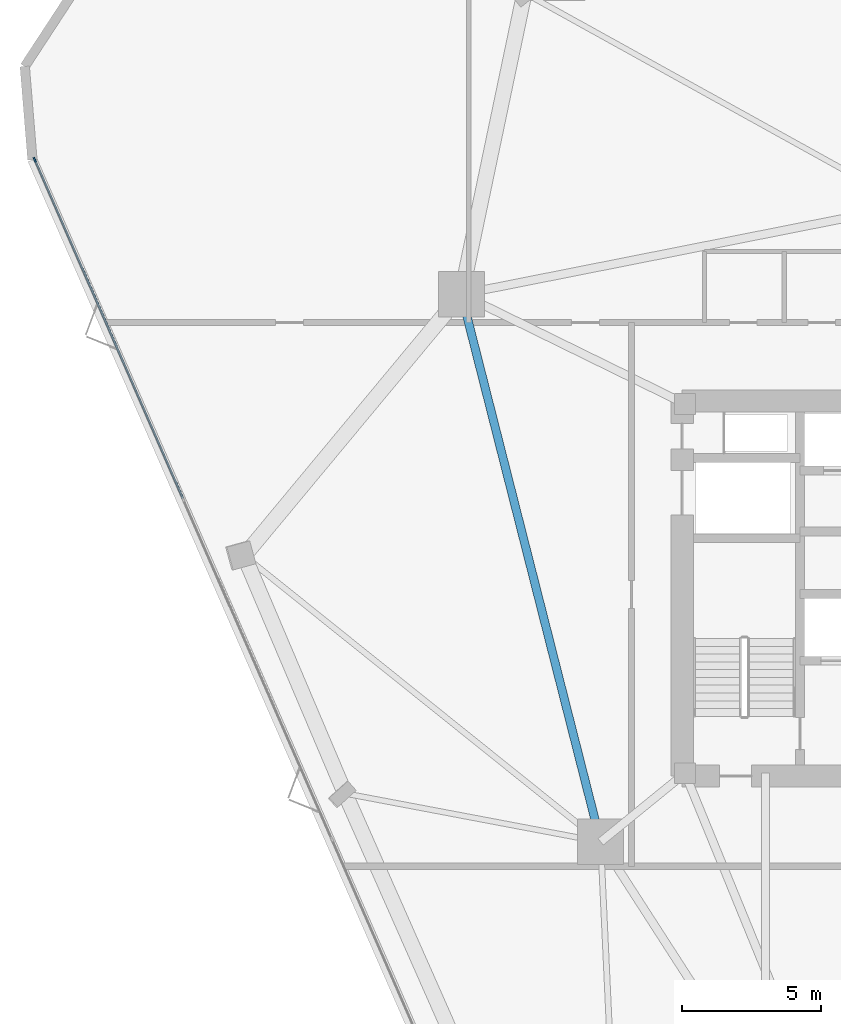
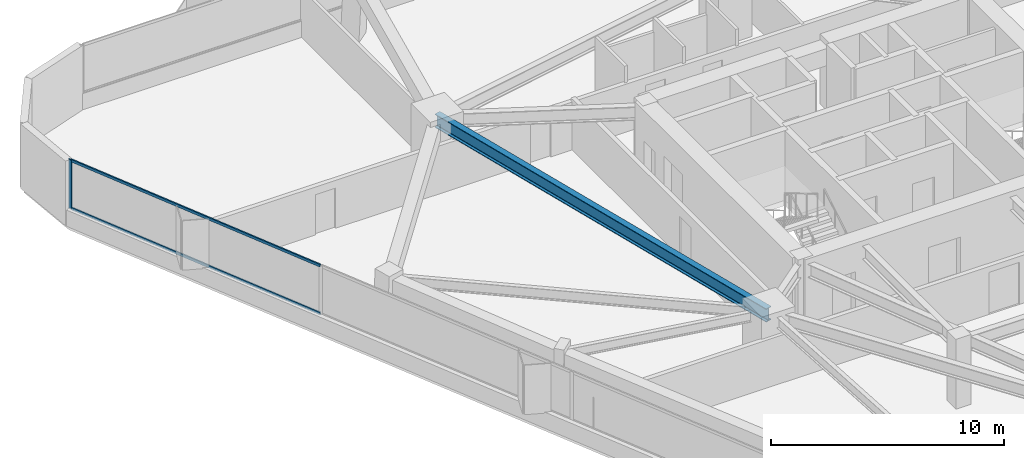
# One storey, part 7 of 19: 3 members, 1 beam, 1 element without a shape of its own.
"""IFC4 building model written with IfcOpenShell, lengths in metres."""

import ifcopenshell
import ifcopenshell.guid

model = None  # the IFC model being written
_history = None  # IfcOwnerHistory: only IFC2X3 demands one
_inside = {}  # id of a spatial element -> (the spatial element, [elements in it])
_under = {}  # id of a project, library or spatial element -> (it, [spatial elements below it])
_declared = {}  # id of a project -> (the project, [libraries it declares])
_typed = {}  # id of a type object -> (the type object, [elements of that type])
_made_of = {}  # id of a material, layer set ... -> (it, [elements and type objects made of it])


def new_model(schema):
    """Start an empty IFC model of exactly this schema.

    Asked for "IFC4X3", IfcOpenShell would pick the latest addendum, in which some entities
    have other attributes; the version numbers below select the first issue.
    IFC2X3 requires an IfcOwnerHistory on every rooted entity: one is made here for all.
    """
    global model, _history
    if schema == "IFC4X3":
        model = ifcopenshell.file(schema_version=(4, 3, 0, 0))
    else:
        model = ifcopenshell.file(schema=schema)
    _inside.clear()
    _under.clear()
    _declared.clear()
    _typed.clear()
    _made_of.clear()
    _history = None
    if model.schema == "IFC2X3":
        org = make("IfcOrganization", Name="unknown")
        user = make(
            "IfcPersonAndOrganization",
            ThePerson=make("IfcPerson", FamilyName="unknown"),
            TheOrganization=org,
        )
        app = make(
            "IfcApplication",
            ApplicationDeveloper=org,
            Version="unknown",
            ApplicationFullName="unknown",
            ApplicationIdentifier="unknown",
        )
        _history = make(
            "IfcOwnerHistory",
            OwningUser=user,
            OwningApplication=app,
            ChangeAction="ADDED",
            CreationDate=0,
        )
    return model


def make(cls, **values):
    """One entity of the class cls with the attributes given. An attribute that is None is left unset."""
    return model.create_entity(
        cls, **{name: value for name, value in values.items() if value is not None}
    )


def rooted(cls, **values):
    """An entity with a GlobalId (a new one), such as an element, a storey or a relation."""
    return make(cls, GlobalId=ifcopenshell.guid.new(), OwnerHistory=_history, **values)


def si_unit(unit_type, name, prefix=None):
    """IfcSIUnit, for example si_unit("LENGTHUNIT", "METRE", prefix="MILLI")."""
    return make("IfcSIUnit", UnitType=unit_type, Prefix=prefix, Name=name)


def assignment(units):
    """IfcUnitAssignment: the units of a project."""
    return None if units is None else make("IfcUnitAssignment", Units=units)


def point(xyz):
    """IfcCartesianPoint."""
    return None if xyz is None else make("IfcCartesianPoint", Coordinates=xyz)


def direction(xyz):
    """IfcDirection."""
    return None if xyz is None else make("IfcDirection", DirectionRatios=xyz)


def frame(location, z_axis=None, x_axis=None):
    """IfcAxis2Placement3D, a coordinate frame: its origin and axes. An axis left out is left unset."""
    return make(
        "IfcAxis2Placement3D",
        Location=point(location),
        Axis=direction(z_axis),
        RefDirection=direction(x_axis),
    )


def frame_2d(location, x_axis=None):
    """IfcAxis2Placement2D, a coordinate frame in the plane: its origin and x axis."""
    return make(
        "IfcAxis2Placement2D", Location=point(location), RefDirection=direction(x_axis)
    )


def origin():
    """The frame at (0, 0, 0) with its axes left unset."""
    return frame((0.0, 0.0, 0.0))


def origin_2d():
    """The frame at (0, 0) in the plane with its x axis left unset."""
    return frame_2d((0.0, 0.0))


def place(relative_to, where):
    """IfcLocalPlacement: puts the frame where relative to a parent placement (None: the world)."""
    return make(
        "IfcLocalPlacement", PlacementRelTo=relative_to, RelativePlacement=where
    )


def context(
    kind, dimensions, precision=None, world=None, true_north=None, identifier=None
):
    """IfcGeometricRepresentationContext, for example the 3D "Model" context."""
    return make(
        "IfcGeometricRepresentationContext",
        ContextIdentifier=identifier,
        ContextType=kind,
        CoordinateSpaceDimension=dimensions,
        Precision=precision,
        WorldCoordinateSystem=world,
        TrueNorth=true_north,
    )


def subcontext(parent, identifier, kind, view, scale=None):
    """IfcGeometricRepresentationSubContext, for example "Body" below "Model"."""
    return make(
        "IfcGeometricRepresentationSubContext",
        ContextIdentifier=identifier,
        ContextType=kind,
        ParentContext=parent,
        TargetScale=scale,
        TargetView=view,
    )


def project(units=None, contexts=None):
    """IfcProject with its units and contexts."""
    return rooted(
        "IfcProject",
        Name="project",
        RepresentationContexts=contexts,
        UnitsInContext=assignment(units),
    )


def spatial(cls, under=None, at=None, **own):
    """A site, building, storey or space (cls), placed at a placement, below another one or the project."""
    s = rooted(cls, ObjectPlacement=at, **own)
    if under is not None:
        _under.setdefault(under.id(), (under, []))[1].append(s)
    return s


def profile(cls, at=None, kind="AREA", **sizes):
    """A parametric profile (cls). Its sizes go by their IFC names, for example OverallWidth=200.0."""
    return make(cls, ProfileType=kind, Position=at, **sizes)


def rectangle(**sizes):
    """IfcRectangleProfileDef."""
    return profile("IfcRectangleProfileDef", **sizes)


def i_section(**sizes):
    """IfcIShapeProfileDef."""
    return profile("IfcIShapeProfileDef", **sizes)


def extrude(swept, where, along, depth):
    """IfcExtrudedAreaSolid: the profile swept, set in the frame where, extruded along a direction by depth."""
    return make(
        "IfcExtrudedAreaSolid",
        SweptArea=swept,
        Position=where,
        ExtrudedDirection=direction(along),
        Depth=depth,
    )


def shape(context_of_items, identifier, shape_type, items):
    """IfcShapeRepresentation: the items that make up one representation, for example the "Body"."""
    return make(
        "IfcShapeRepresentation",
        ContextOfItems=context_of_items,
        RepresentationIdentifier=identifier,
        RepresentationType=shape_type,
        Items=items,
    )


def material(Name=None, Category=None):
    """IfcMaterial."""
    return make("IfcMaterial", Name=Name, Category=Category)


def layer(
    of_material, thickness, ventilated=None, Name=None, Category=None, Priority=None
):
    """IfcMaterialLayer: one layer of a wall or slab, of a material (None: an air gap)."""
    return make(
        "IfcMaterialLayer",
        Material=of_material,
        LayerThickness=thickness,
        IsVentilated=ventilated,
        Name=Name,
        Category=Category,
        Priority=Priority,
    )


def layer_set(layers, Name=None):
    """IfcMaterialLayerSet."""
    return make("IfcMaterialLayerSet", MaterialLayers=layers, LayerSetName=Name)


def material_profile(
    of_material, cross_section, Name=None, Category=None, Priority=None
):
    """IfcMaterialProfile: a cross section and its material."""
    return make(
        "IfcMaterialProfile",
        Name=Name,
        Material=of_material,
        Profile=cross_section,
        Priority=Priority,
        Category=Category,
    )


def profile_set(profiles, Name=None, composite=None):
    """IfcMaterialProfileSet."""
    return make(
        "IfcMaterialProfileSet",
        Name=Name,
        MaterialProfiles=profiles,
        CompositeProfile=composite,
    )


def made_of(thing, what):
    """Note that an element or type object is made of a material, layer set ...; save() writes the relation."""
    if what is not None:
        _made_of.setdefault(what.id(), (what, []))[1].append(thing)
    return thing


def type_object(cls, material=None, **own):
    """A type object (cls), such as IfcWallType, which elements share."""
    return made_of(rooted(cls, **own), material)


def element(
    cls,
    number,
    at=None,
    inside=None,
    cuts=None,
    type_object=None,
    material=None,
    context=None,
    identifier="Body",
    shape_type=None,
    held_by="IfcProductDefinitionShape",
    body=None,
    shapes=None,
    **own,
):
    """One element of the class cls, such as IfcWall. Its Tag is "e" and its number.

    at: its placement. inside: the storey or other place that contains it. cuts: it is an
    opening in that element (IfcRelVoidsElement). A single representation is given by context,
    identifier, shape_type and body (its items); several are given by shapes. held_by: the class
    of the entity that holds the representations. save() writes the other relations.
    """
    e = rooted(cls, Tag="e%d" % number, ObjectPlacement=at, **own)
    if body is not None:
        shapes = [shape(context, identifier, shape_type, body)]
    if shapes is not None:
        e.Representation = make(held_by, Representations=shapes)
    if inside is not None:
        _inside.setdefault(inside.id(), (inside, []))[1].append(e)
    if cuts is not None:
        rooted(
            "IfcRelVoidsElement", RelatingBuildingElement=cuts, RelatedOpeningElement=e
        )
    if type_object is not None:
        _typed.setdefault(type_object.id(), (type_object, []))[1].append(e)
    return made_of(e, material)


def aggregate(whole, parts):
    """IfcRelAggregates: a whole, such as a stair, and the parts it consists of."""
    return rooted("IfcRelAggregates", RelatingObject=whole, RelatedObjects=parts)


def save(model, path):
    """Write the relations noted so far, then the file.

    IfcRelAggregates (storeys below a building ...), IfcRelContainedInSpatialStructure (elements
    in a storey), IfcRelDefinesByType, IfcRelAssociatesMaterial and IfcRelDeclares: one each for
    every whole, place, type object, material and project.
    """
    for whole, parts in _under.values():
        aggregate(whole, parts)
    for where, things in _inside.values():
        rooted(
            "IfcRelContainedInSpatialStructure",
            RelatedElements=things,
            RelatingStructure=where,
        )
    for kind, things in _typed.values():
        rooted("IfcRelDefinesByType", RelatedObjects=things, RelatingType=kind)
    for what, things in _made_of.values():
        rooted("IfcRelAssociatesMaterial", RelatedObjects=things, RelatingMaterial=what)
    for by, libraries in _declared.values():
        rooted("IfcRelDeclares", RelatingContext=by, RelatedDefinitions=libraries)
    model.write(path)


model = new_model("IFC4")

# Units and contexts
model_context = context("Model", 3, precision=1e-05, world=origin(), true_north=direction((0.0, 1.0)))
body_context = subcontext(model_context, "Body", "Model", "MODEL_VIEW")
ifc_project = project(units=[si_unit("LENGTHUNIT", "METRE"), si_unit("AREAUNIT", "SQUARE_METRE"), si_unit("VOLUMEUNIT", "CUBIC_METRE"), si_unit("PLANEANGLEUNIT", "RADIAN"), si_unit("MASSUNIT", "GRAM", prefix="KILO")], contexts=[model_context])

# Site, building, storey
site_placement = place(None, origin())
site = spatial("IfcSite", under=ifc_project, at=site_placement, CompositionType="ELEMENT")
building_placement = place(site_placement, origin())
building = spatial("IfcBuilding", under=site, at=building_placement, Name="Talyreon Biosciences Tower", CompositionType="ELEMENT")
storey_placement = place(building_placement, frame((0.0, 0.0, 82.300048828125)))
storey = spatial("IfcBuildingStorey", under=building, at=storey_placement, Name="L21", CompositionType="ELEMENT", Elevation=82.300048828125)

# Curtain wall, members
ifc_material_1 = material(Name="Thermally broken aluminium and low-E glazing", Category="aluminium")
ifc_layer = layer(ifc_material_1, 0.18994140625)
ifc_layer_set = layer_set([ifc_layer], Name="Thermally broken aluminium and low-E glazing")
curtain_wall_type = type_object("IfcCurtainWallType", Name="CurtainWall_Zone2Genomics", PredefinedType="NOTDEFINED", material=ifc_layer_set)
curtain_wall_placement = place(storey_placement, origin())
curtain_wall = element("IfcCurtainWall", 1, at=curtain_wall_placement, inside=storey, type_object=curtain_wall_type, Name="L21 Unitised Curtain Wall FCW-L21-00", PredefinedType="NOTDEFINED")
ifc_material_2 = material(Name="Anodised thermally broken aluminium", Category="aluminium")
ifc_material_profile_1 = material_profile(ifc_material_2, rectangle(XDim=0.06494140625, YDim=0.179931640625, at=origin_2d()), Name="ALUM MULLION 65x180")
ifc_profile_set_1 = profile_set([ifc_material_profile_1], Name="Anodised thermally broken aluminium")
member_type_1 = type_object("IfcMemberType", Name="CWMullion_65x180", PredefinedType="MULLION", material=ifc_profile_set_1)
member_1_placement = place(storey_placement, frame((34.537353515625, 83.43896484375, 0.81005859375), z_axis=(0.0, 0.0, 1.0), x_axis=(-0.916213942072, -0.400689421314, 0.0)))
member_1 = element("IfcMember", 2, at=member_1_placement, type_object=member_type_1, Name="CW3 mullion 6", PredefinedType="MULLION", context=body_context, shape_type="SweptSolid", body=[
    extrude(rectangle(XDim=0.06494140625, YDim=0.179931640625, at=origin_2d()), origin(), (0.0, 0.0, 1.0), 2.56494140625),
])
ifc_material_profile_2 = material_profile(ifc_material_2, rectangle(XDim=0.06494140625, YDim=0.139892578125, at=origin_2d()), Name="ALUM TRANSOM 65x140")
ifc_profile_set_2 = profile_set([ifc_material_profile_2], Name="Anodised thermally broken aluminium")
member_type_2 = type_object("IfcMemberType", Name="CWTransom_65x140", PredefinedType="USERDEFINED", material=ifc_profile_set_2)
member_2_placement = place(storey_placement, frame((39.868408203125, 71.24951171875, 0.842529296875), z_axis=(-0.40069337817, 0.916212211603, 0.0), x_axis=(-0.916212211603, -0.40069337817, 0.0)))
member_2 = element("IfcMember", 3, at=member_2_placement, type_object=member_type_2, Name="CW3 transom 5.1", ObjectType="TRANSOM", PredefinedType="USERDEFINED", context=body_context, shape_type="SweptSolid", body=[
    extrude(rectangle(XDim=0.06494140625, YDim=0.139892578125, at=origin_2d()), origin(), (0.0, 0.0, 1.0), 13.271728515625),
])
member_3_placement = place(storey_placement, frame((39.868408203125, 71.24951171875, 3.342529296875), z_axis=(-0.40069337817, 0.916212211603, 0.0), x_axis=(-0.916212211603, -0.40069337817, 0.0)))
member_3 = element("IfcMember", 4, at=member_3_placement, type_object=member_type_2, Name="CW3 transom 5.2", ObjectType="TRANSOM", PredefinedType="USERDEFINED", context=body_context, shape_type="SweptSolid", body=[
    extrude(rectangle(XDim=0.06494140625, YDim=0.139892578125, at=origin_2d()), origin(), (0.0, 0.0, 1.0), 13.271728515625),
])
aggregate(curtain_wall, [member_1, member_2, member_3])

# Beam
ifc_material_3 = material(Name="Steel SM355", Category="steel")
ifc_material_profile_3 = material_profile(ifc_material_3, i_section(OverallWidth=0.300048828125, OverallDepth=0.699951171875, WebThickness=0.01708984375, FlangeThickness=0.031982421875, FilletRadius=0.027099609375, at=origin_2d()), Name="HE700B")
ifc_profile_set_3 = profile_set([ifc_material_profile_3], Name="Steel SM355")
beam_type = type_object("IfcBeamType", Name="SteelGirder_HE700B", PredefinedType="BEAM", material=ifc_profile_set_3)
beam_placement = place(storey_placement, frame((49.897705078125, 78.5986328125, 3.02490234375), z_axis=(0.246537082299, -0.969133358755, 0.0), x_axis=(0.969133358755, 0.246537082299, 0.0)))
element("IfcBeam", 5, at=beam_placement, inside=storey, type_object=beam_type, Name="L21 Mega-Ring Girder 5", PredefinedType="BEAM", context=body_context, shape_type="SweptSolid", body=[
    extrude(i_section(OverallWidth=0.300048828125, OverallDepth=0.699951171875, WebThickness=0.01708984375, FlangeThickness=0.031982421875, FilletRadius=0.027099609375, at=origin_2d()), origin(), (0.0, 0.0, 1.0), 20.34619140625),
])

save(model, "model.ifc")
